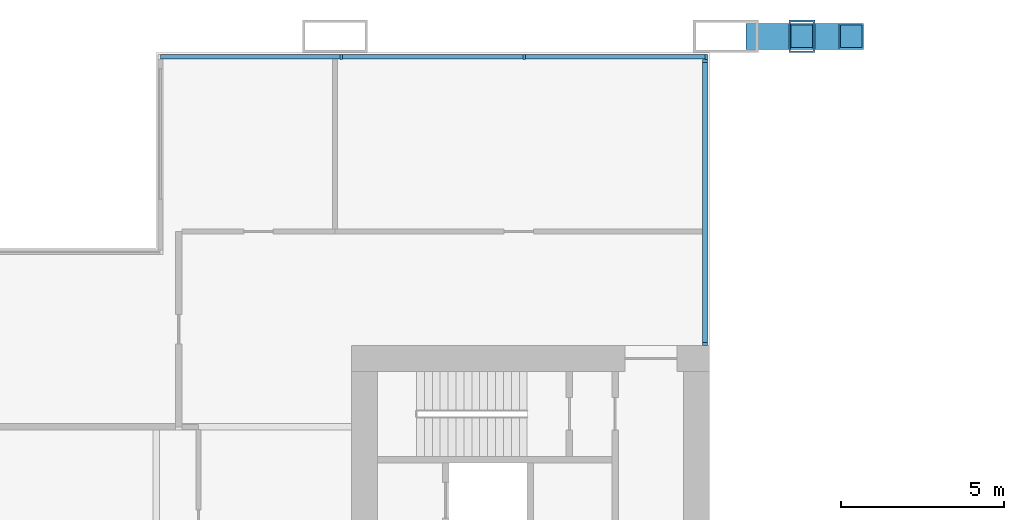
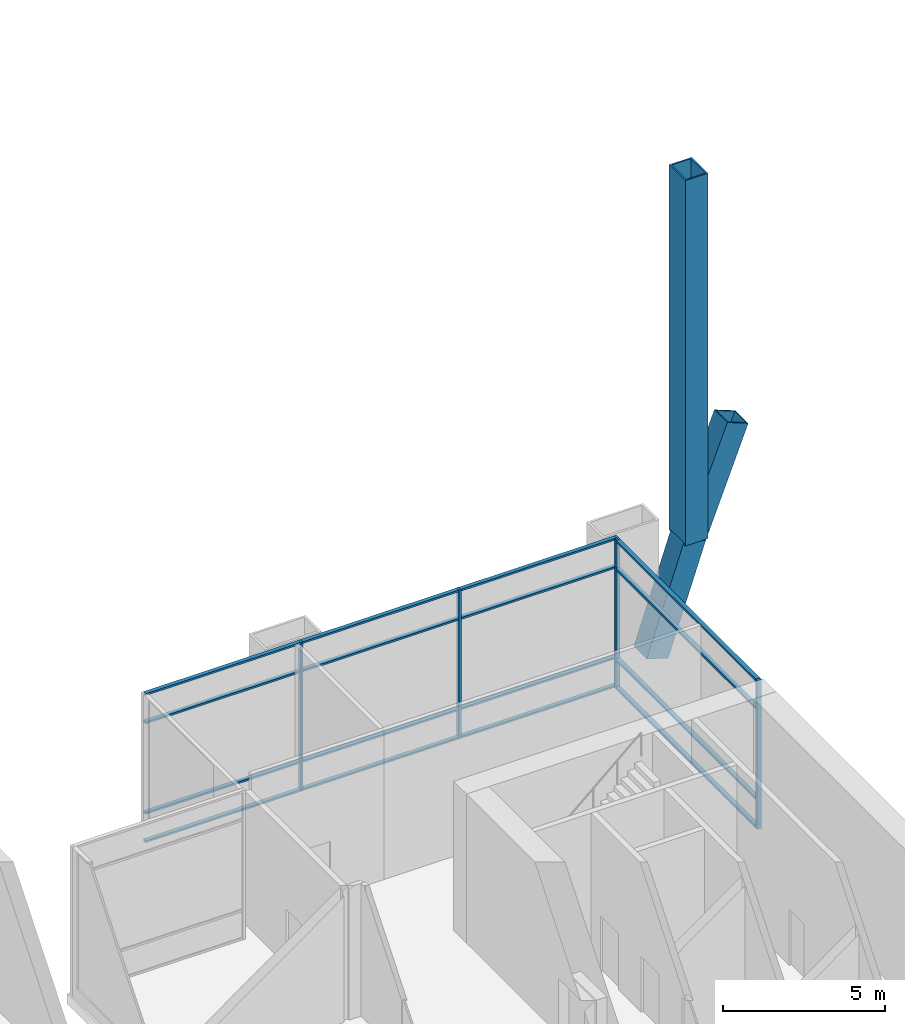
# One storey, part 16 of 30: 24 members, 2 elements without a shape of their own.
"""IFC4 building model written with IfcOpenShell, lengths in metres."""

from ifc_helpers import new_model, si_unit, direction, frame, origin, origin_2d, place, context, subcontext, project, spatial, rectangle, hollow_rectangle, extrude, material, material_profile, profile_set, type_object, element, aggregate, save


model = new_model("IFC4")

# Units and contexts
model_context = context("Model", 3, precision=1e-05, world=origin(), true_north=direction((0.0, 1.0)))
body_context = subcontext(model_context, "Body", "Model", "MODEL_VIEW")
ifc_project = project(units=[si_unit("LENGTHUNIT", "METRE"), si_unit("AREAUNIT", "SQUARE_METRE"), si_unit("VOLUMEUNIT", "CUBIC_METRE"), si_unit("PLANEANGLEUNIT", "RADIAN"), si_unit("MASSUNIT", "GRAM", prefix="KILO")], contexts=[model_context])

# Site, building, storey
site_placement = place(None, origin())
site = spatial("IfcSite", under=ifc_project, at=site_placement, CompositionType="ELEMENT")
building_placement = place(site_placement, origin())
building = spatial("IfcBuilding", under=site, at=building_placement, Name="Kitamizu Gate Tower and Museum", CompositionType="ELEMENT")
storey_placement = place(building_placement, frame((0.0, 0.0, 6.0)))
storey = spatial("IfcBuildingStorey", under=building, at=storey_placement, Name="L01", CompositionType="ELEMENT", Elevation=6.0)

# Members
ifc_material_1 = material(Name="Steel SM490A bronze coated", Category="steel")
ifc_material_profile_1 = material_profile(ifc_material_1, hollow_rectangle(XDim=0.800048828125, YDim=0.800048828125, WallThickness=0.050048828125, at=origin_2d()), Name="BOX 800x800x50")
ifc_profile_set_1 = profile_set([ifc_material_profile_1], Name="Steel SM490A bronze coated")
member_type_1 = type_object("IfcMemberType", Name="Arch rib AR1 BOX 800x800x50", PredefinedType="USERDEFINED", material=ifc_profile_set_1)
member_1_placement = place(storey_placement, frame((25.0, 48.0, 0.306396484375), z_axis=(0.319044039377, 0.0, 0.947739890971), x_axis=(0.0, 1.0, 0.0)))
element("IfcMember", 1, at=member_1_placement, inside=storey, type_object=member_type_1, Name="Arch rib NW-1", ObjectType="ARCH RIB", PredefinedType="USERDEFINED", context=body_context, shape_type="SweptSolid", body=[
    extrude(hollow_rectangle(XDim=0.800048828125, YDim=0.800048828125, WallThickness=0.050048828125, at=origin_2d()), origin(), (0.0, 0.0, 1.0), 4.18505859375),
])
member_2_placement = place(storey_placement, frame((26.335205078125, 48.0, 4.272705078125), z_axis=(0.363855278382, 0.0, 0.931455493512), x_axis=(0.0, 1.0, 0.0)))
element("IfcMember", 2, at=member_2_placement, inside=storey, type_object=member_type_1, Name="Arch rib NW-2", ObjectType="ARCH RIB", PredefinedType="USERDEFINED", context=body_context, shape_type="SweptSolid", body=[
    extrude(hollow_rectangle(XDim=0.800048828125, YDim=0.800048828125, WallThickness=0.050048828125, at=origin_2d()), origin(), (0.0, 0.0, 1.0), 4.179443359375),
])
ifc_material_2 = material(Name="Steel SM490A bronze coated", Category="steel")
ifc_material_profile_2 = material_profile(ifc_material_2, hollow_rectangle(XDim=0.800048828125, YDim=1.0, WallThickness=0.054931640625, at=origin_2d()), Name="BOX 800x1000x55")
ifc_profile_set_2 = profile_set([ifc_material_profile_2], Name="Steel SM490A bronze coated")
member_type_2 = type_object("IfcMemberType", Name="Arch rib tie post AP3 BOX 800x1000x55", PredefinedType="USERDEFINED", material=ifc_profile_set_2)
member_3_placement = place(storey_placement, frame((26.335205078125, 48.0, 4.272705078125), z_axis=(0.0, 0.0, 1.0), x_axis=(1.0, 0.0, 0.0)))
element("IfcMember", 3, at=member_3_placement, inside=storey, type_object=member_type_2, Name="Arch rib tie post NW-1", ObjectType="ARCH POST", PredefinedType="USERDEFINED", context=body_context, shape_type="SweptSolid", body=[
    extrude(hollow_rectangle(XDim=0.800048828125, YDim=1.0, WallThickness=0.054931640625, at=origin_2d()), origin(), (0.0, 0.0, 1.0), 13.727294921875),
])

# Curtain wall, members
ifc_material_3 = material(Name="Bronze anodised aluminium frame, tinted triple glazing", Category="aluminium")
curtain_wall_type_1 = type_object("IfcCurtainWallType", Name="CURTAIN WALL TYPE E PODIUM PLAZA", PredefinedType="NOTDEFINED", material=ifc_material_3)
curtain_wall_1_placement = place(storey_placement, origin())
curtain_wall_1 = element("IfcCurtainWall", 4, at=curtain_wall_1_placement, inside=storey, type_object=curtain_wall_type_1, Name="Curtain wall CW-E north L01", PredefinedType="NOTDEFINED")
ifc_material_4 = material(Name="Bronze anodised aluminium", Category="aluminium")
ifc_material_profile_3 = material_profile(ifc_material_4, rectangle(XDim=0.080078125, YDim=0.14990234375, at=origin_2d()), Name="AL 80X150")
ifc_profile_set_3 = profile_set([ifc_material_profile_3], Name="Bronze anodised aluminium")
member_type_3 = type_object("IfcMemberType", Name="MULLION 80 X 150 TYPE E", PredefinedType="MULLION", material=ifc_profile_set_3)
member_4_placement = place(storey_placement, frame((12.186767578125, 47.364990234375, 0.0), z_axis=(0.0, 0.0, 1.0), x_axis=(1.0, 0.0, 0.0)))
member_4 = element("IfcMember", 5, at=member_4_placement, type_object=member_type_3, Name="CW-E mullion 2", PredefinedType="MULLION", context=body_context, shape_type="SweptSolid", body=[
    extrude(rectangle(XDim=0.080078125, YDim=0.14990234375, at=origin_2d()), origin(), (0.0, 0.0, 1.0), 5.60009765625),
])
member_5_placement = place(storey_placement, frame((17.813232421875, 47.364990234375, 0.0), z_axis=(0.0, 0.0, 1.0), x_axis=(1.0, 0.0, 0.0)))
member_5 = element("IfcMember", 6, at=member_5_placement, type_object=member_type_3, Name="CW-E mullion 3", PredefinedType="MULLION", context=body_context, shape_type="SweptSolid", body=[
    extrude(rectangle(XDim=0.080078125, YDim=0.14990234375, at=origin_2d()), origin(), (0.0, 0.0, 1.0), 5.60009765625),
])
member_6_placement = place(storey_placement, frame((23.39990234375, 47.364990234375, 0.0), z_axis=(0.0, 0.0, 1.0), x_axis=(1.0, 0.0, 0.0)))
member_6 = element("IfcMember", 7, at=member_6_placement, type_object=member_type_3, Name="CW-E mullion 4", PredefinedType="MULLION", context=body_context, shape_type="SweptSolid", body=[
    extrude(rectangle(XDim=0.080078125, YDim=0.14990234375, at=origin_2d()), origin(), (0.0, 0.0, 1.0), 5.60009765625),
])

ifc_material_5 = material(Name="Bronze anodised aluminium frame, tinted triple glazing", Category="aluminium")
curtain_wall_type_2 = type_object("IfcCurtainWallType", Name="CURTAIN WALL TYPE A PODIUM", PredefinedType="NOTDEFINED", material=ifc_material_5)
curtain_wall_2_placement = place(storey_placement, origin())
curtain_wall_2 = element("IfcCurtainWall", 8, at=curtain_wall_2_placement, inside=storey, type_object=curtain_wall_type_2, Name="Curtain wall CW-A east L01", PredefinedType="NOTDEFINED")
ifc_material_6 = material(Name="Bronze anodised aluminium", Category="aluminium")
ifc_material_profile_4 = material_profile(ifc_material_6, rectangle(XDim=0.090087890625, YDim=0.14990234375, at=origin_2d()), Name="AL 90X150")
ifc_profile_set_4 = profile_set([ifc_material_profile_4], Name="Bronze anodised aluminium")
member_type_4 = type_object("IfcMemberType", Name="MULLION 90 X 150 TYPE A", PredefinedType="MULLION", material=ifc_profile_set_4)
member_7_placement = place(storey_placement, frame((23.364990234375, 38.544921875, 0.0), z_axis=(0.0, 0.0, 1.0), x_axis=(0.0, 1.0, 0.0)))
member_7 = element("IfcMember", 9, at=member_7_placement, type_object=member_type_4, Name="CW-A mullion 1", PredefinedType="MULLION", context=body_context, shape_type="SweptSolid", body=[
    extrude(rectangle(XDim=0.090087890625, YDim=0.14990234375, at=origin_2d()), origin(), (0.0, 0.0, 1.0), 5.60009765625),
])
member_8_placement = place(storey_placement, frame((23.364990234375, 47.2451171875, 0.0), z_axis=(0.0, 0.0, 1.0), x_axis=(0.0, 1.0, 0.0)))
member_8 = element("IfcMember", 10, at=member_8_placement, type_object=member_type_4, Name="CW-A mullion 2", PredefinedType="MULLION", context=body_context, shape_type="SweptSolid", body=[
    extrude(rectangle(XDim=0.090087890625, YDim=0.14990234375, at=origin_2d()), origin(), (0.0, 0.0, 1.0), 5.60009765625),
])

# Member
ifc_material_7 = material(Name="Bronze anodised aluminium", Category="aluminium")
ifc_material_profile_5 = material_profile(ifc_material_7, rectangle(XDim=0.139892578125, YDim=0.070068359375, at=origin_2d()), Name="AL 70X140")
ifc_profile_set_5 = profile_set([ifc_material_profile_5], Name="Bronze anodised aluminium")
member_type_5 = type_object("IfcMemberType", Name="TRANSOM 70 X 140 TYPE E", PredefinedType="USERDEFINED", material=ifc_profile_set_5)
member_9_placement = place(storey_placement, frame((6.639892578125, 47.364990234375, 0.034912109375), z_axis=(1.0, 0.0, 0.0), x_axis=(0.0, 1.0, 0.0)))
member_9 = element("IfcMember", 11, at=member_9_placement, type_object=member_type_5, Name="CW-E transom 1.1", ObjectType="TRANSOM", PredefinedType="USERDEFINED", context=body_context, shape_type="SweptSolid", body=[
    extrude(rectangle(XDim=0.139892578125, YDim=0.070068359375, at=origin_2d()), origin(), (0.0, 0.0, 1.0), 5.5068359375),
])

member_10_placement = place(storey_placement, frame((6.639892578125, 47.364990234375, 1.10009765625), z_axis=(1.0, 0.0, 0.0), x_axis=(0.0, 1.0, 0.0)))
member_10 = element("IfcMember", 12, at=member_10_placement, type_object=member_type_5, Name="CW-E transom 1.2", ObjectType="TRANSOM", PredefinedType="USERDEFINED", context=body_context, shape_type="SweptSolid", body=[
    extrude(rectangle(XDim=0.139892578125, YDim=0.070068359375, at=origin_2d()), origin(), (0.0, 0.0, 1.0), 5.5068359375),
])

member_11_placement = place(storey_placement, frame((6.639892578125, 47.364990234375, 4.5), z_axis=(1.0, 0.0, 0.0), x_axis=(0.0, 1.0, 0.0)))
member_11 = element("IfcMember", 13, at=member_11_placement, type_object=member_type_5, Name="CW-E transom 1.3", ObjectType="TRANSOM", PredefinedType="USERDEFINED", context=body_context, shape_type="SweptSolid", body=[
    extrude(rectangle(XDim=0.139892578125, YDim=0.070068359375, at=origin_2d()), origin(), (0.0, 0.0, 1.0), 5.5068359375),
])

member_12_placement = place(storey_placement, frame((6.639892578125, 47.364990234375, 5.56494140625), z_axis=(1.0, 0.0, 0.0), x_axis=(0.0, 1.0, 0.0)))
member_12 = element("IfcMember", 14, at=member_12_placement, type_object=member_type_5, Name="CW-E transom 1.4", ObjectType="TRANSOM", PredefinedType="USERDEFINED", context=body_context, shape_type="SweptSolid", body=[
    extrude(rectangle(XDim=0.139892578125, YDim=0.070068359375, at=origin_2d()), origin(), (0.0, 0.0, 1.0), 5.5068359375),
])

member_13_placement = place(storey_placement, frame((12.2265625, 47.364990234375, 0.034912109375), z_axis=(1.0, 0.0, 0.0), x_axis=(0.0, 1.0, 0.0)))
member_13 = element("IfcMember", 15, at=member_13_placement, type_object=member_type_5, Name="CW-E transom 2.1", ObjectType="TRANSOM", PredefinedType="USERDEFINED", context=body_context, shape_type="SweptSolid", body=[
    extrude(rectangle(XDim=0.139892578125, YDim=0.070068359375, at=origin_2d()), origin(), (0.0, 0.0, 1.0), 5.546875),
])

member_14_placement = place(storey_placement, frame((12.2265625, 47.364990234375, 1.10009765625), z_axis=(1.0, 0.0, 0.0), x_axis=(0.0, 1.0, 0.0)))
member_14 = element("IfcMember", 16, at=member_14_placement, type_object=member_type_5, Name="CW-E transom 2.2", ObjectType="TRANSOM", PredefinedType="USERDEFINED", context=body_context, shape_type="SweptSolid", body=[
    extrude(rectangle(XDim=0.139892578125, YDim=0.070068359375, at=origin_2d()), origin(), (0.0, 0.0, 1.0), 5.546875),
])

member_15_placement = place(storey_placement, frame((12.2265625, 47.364990234375, 4.5), z_axis=(1.0, 0.0, 0.0), x_axis=(0.0, 1.0, 0.0)))
member_15 = element("IfcMember", 17, at=member_15_placement, type_object=member_type_5, Name="CW-E transom 2.3", ObjectType="TRANSOM", PredefinedType="USERDEFINED", context=body_context, shape_type="SweptSolid", body=[
    extrude(rectangle(XDim=0.139892578125, YDim=0.070068359375, at=origin_2d()), origin(), (0.0, 0.0, 1.0), 5.546875),
])

member_16_placement = place(storey_placement, frame((12.2265625, 47.364990234375, 5.56494140625), z_axis=(1.0, 0.0, 0.0), x_axis=(0.0, 1.0, 0.0)))
member_16 = element("IfcMember", 18, at=member_16_placement, type_object=member_type_5, Name="CW-E transom 2.4", ObjectType="TRANSOM", PredefinedType="USERDEFINED", context=body_context, shape_type="SweptSolid", body=[
    extrude(rectangle(XDim=0.139892578125, YDim=0.070068359375, at=origin_2d()), origin(), (0.0, 0.0, 1.0), 5.546875),
])

member_17_placement = place(storey_placement, frame((17.853271484375, 47.364990234375, 0.034912109375), z_axis=(1.0, 0.0, 0.0), x_axis=(0.0, 1.0, 0.0)))
member_17 = element("IfcMember", 19, at=member_17_placement, type_object=member_type_5, Name="CW-E transom 3.1", ObjectType="TRANSOM", PredefinedType="USERDEFINED", context=body_context, shape_type="SweptSolid", body=[
    extrude(rectangle(XDim=0.139892578125, YDim=0.070068359375, at=origin_2d()), origin(), (0.0, 0.0, 1.0), 5.5068359375),
])

member_18_placement = place(storey_placement, frame((17.853271484375, 47.364990234375, 1.10009765625), z_axis=(1.0, 0.0, 0.0), x_axis=(0.0, 1.0, 0.0)))
member_18 = element("IfcMember", 20, at=member_18_placement, type_object=member_type_5, Name="CW-E transom 3.2", ObjectType="TRANSOM", PredefinedType="USERDEFINED", context=body_context, shape_type="SweptSolid", body=[
    extrude(rectangle(XDim=0.139892578125, YDim=0.070068359375, at=origin_2d()), origin(), (0.0, 0.0, 1.0), 5.5068359375),
])

member_19_placement = place(storey_placement, frame((17.853271484375, 47.364990234375, 4.5), z_axis=(1.0, 0.0, 0.0), x_axis=(0.0, 1.0, 0.0)))
member_19 = element("IfcMember", 21, at=member_19_placement, type_object=member_type_5, Name="CW-E transom 3.3", ObjectType="TRANSOM", PredefinedType="USERDEFINED", context=body_context, shape_type="SweptSolid", body=[
    extrude(rectangle(XDim=0.139892578125, YDim=0.070068359375, at=origin_2d()), origin(), (0.0, 0.0, 1.0), 5.5068359375),
])

member_20_placement = place(storey_placement, frame((17.853271484375, 47.364990234375, 5.56494140625), z_axis=(1.0, 0.0, 0.0), x_axis=(0.0, 1.0, 0.0)))
member_20 = element("IfcMember", 22, at=member_20_placement, type_object=member_type_5, Name="CW-E transom 3.4", ObjectType="TRANSOM", PredefinedType="USERDEFINED", context=body_context, shape_type="SweptSolid", body=[
    extrude(rectangle(XDim=0.139892578125, YDim=0.070068359375, at=origin_2d()), origin(), (0.0, 0.0, 1.0), 5.5068359375),
])

aggregate(curtain_wall_1, [member_4, member_5, member_6, member_9, member_10, member_11, member_12, member_13, member_14, member_15, member_16, member_17, member_18, member_19, member_20])

ifc_material_8 = material(Name="Bronze anodised aluminium", Category="aluminium")
ifc_material_profile_6 = material_profile(ifc_material_8, rectangle(XDim=0.14990234375, YDim=0.080078125, at=origin_2d()), Name="AL 80X150")
ifc_profile_set_6 = profile_set([ifc_material_profile_6], Name="Bronze anodised aluminium")
member_type_6 = type_object("IfcMemberType", Name="TRANSOM 80 X 150 TYPE A", PredefinedType="USERDEFINED", material=ifc_profile_set_6)
member_21_placement = place(storey_placement, frame((23.364990234375, 38.590087890625, 0.0400390625), z_axis=(0.0, 1.0, 0.0), x_axis=(-1.0, 0.0, 0.0)))
member_21 = element("IfcMember", 23, at=member_21_placement, type_object=member_type_6, Name="CW-A transom 1.1", ObjectType="TRANSOM", PredefinedType="USERDEFINED", context=body_context, shape_type="SweptSolid", body=[
    extrude(rectangle(XDim=0.14990234375, YDim=0.080078125, at=origin_2d()), origin(), (0.0, 0.0, 1.0), 8.60986328125),
])

member_22_placement = place(storey_placement, frame((23.364990234375, 38.590087890625, 1.10009765625), z_axis=(0.0, 1.0, 0.0), x_axis=(-1.0, 0.0, 0.0)))
member_22 = element("IfcMember", 24, at=member_22_placement, type_object=member_type_6, Name="CW-A transom 1.2", ObjectType="TRANSOM", PredefinedType="USERDEFINED", context=body_context, shape_type="SweptSolid", body=[
    extrude(rectangle(XDim=0.14990234375, YDim=0.080078125, at=origin_2d()), origin(), (0.0, 0.0, 1.0), 8.60986328125),
])

member_23_placement = place(storey_placement, frame((23.364990234375, 38.590087890625, 4.5), z_axis=(0.0, 1.0, 0.0), x_axis=(-1.0, 0.0, 0.0)))
member_23 = element("IfcMember", 25, at=member_23_placement, type_object=member_type_6, Name="CW-A transom 1.3", ObjectType="TRANSOM", PredefinedType="USERDEFINED", context=body_context, shape_type="SweptSolid", body=[
    extrude(rectangle(XDim=0.14990234375, YDim=0.080078125, at=origin_2d()), origin(), (0.0, 0.0, 1.0), 8.60986328125),
])

member_24_placement = place(storey_placement, frame((23.364990234375, 38.590087890625, 5.56005859375), z_axis=(0.0, 1.0, 0.0), x_axis=(-1.0, 0.0, 0.0)))
member_24 = element("IfcMember", 26, at=member_24_placement, type_object=member_type_6, Name="CW-A transom 1.4", ObjectType="TRANSOM", PredefinedType="USERDEFINED", context=body_context, shape_type="SweptSolid", body=[
    extrude(rectangle(XDim=0.14990234375, YDim=0.080078125, at=origin_2d()), origin(), (0.0, 0.0, 1.0), 8.60986328125),
])

aggregate(curtain_wall_2, [member_7, member_8, member_21, member_22, member_23, member_24])

save(model, "model.ifc")
